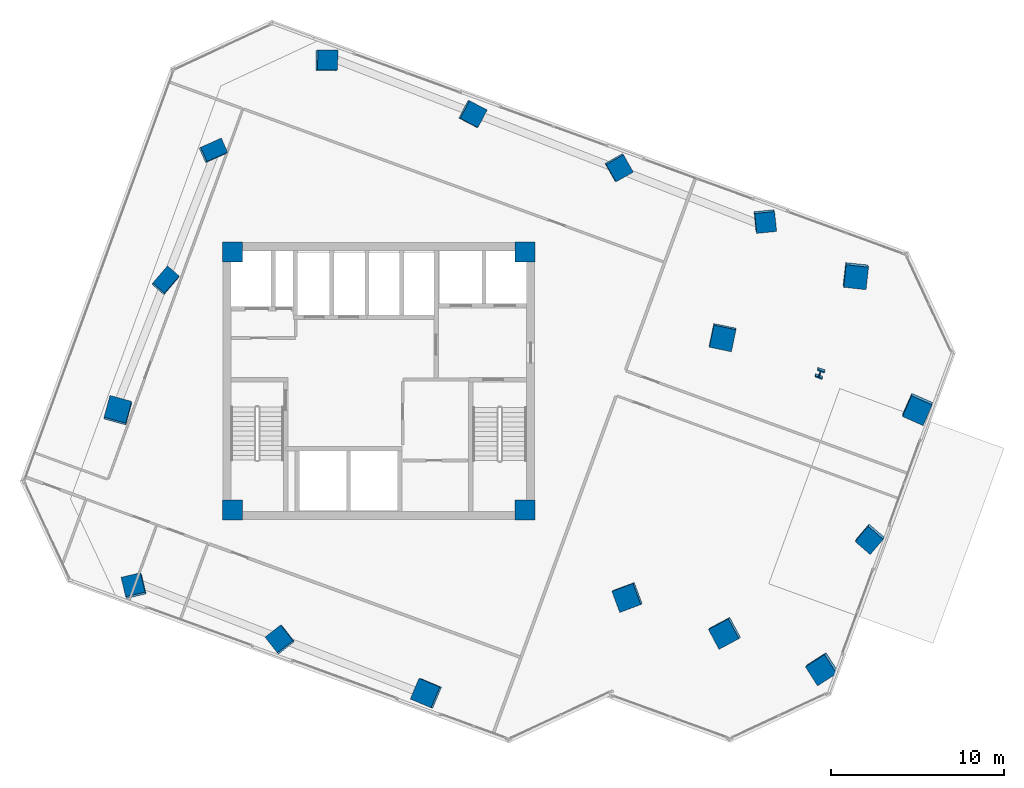
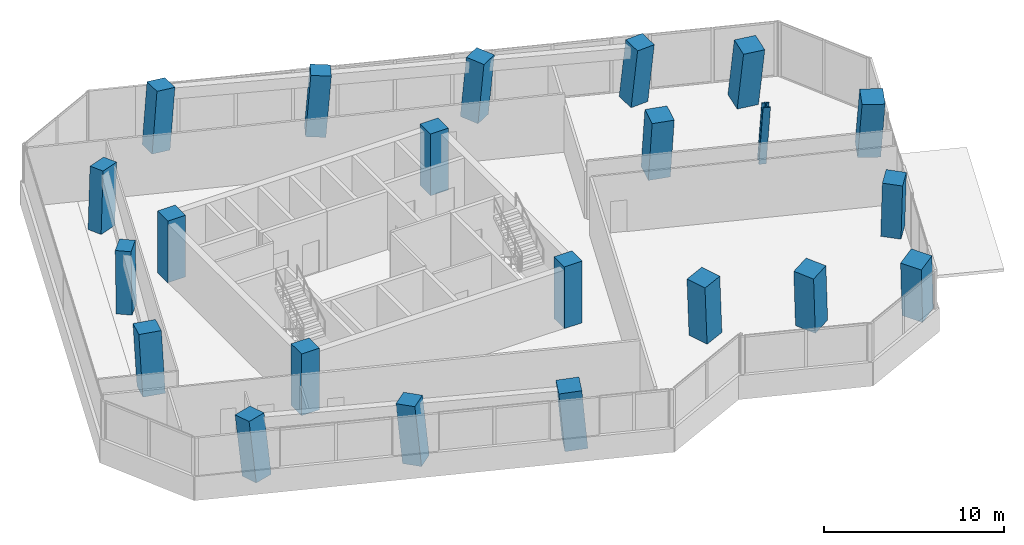
# One storey, part 1 of 21: 22 columns.
"""IFC4 building model written with IfcOpenShell, lengths in metres."""

from ifc_helpers import new_model, si_unit, direction, frame, origin, origin_2d, place, context, subcontext, project, spatial, rectangle, i_section, extrude, clip, halfspace, source, transform, mapped, material, material_profile, profile_set, type_object, element, save


model = new_model("IFC4")

# Units and contexts
model_context = context("Model", 3, precision=1e-05, world=origin(), true_north=direction((0.0, 1.0)))
body_context = subcontext(model_context, "Body", "Model", "MODEL_VIEW")
ifc_project = project(units=[si_unit("LENGTHUNIT", "METRE"), si_unit("AREAUNIT", "SQUARE_METRE"), si_unit("VOLUMEUNIT", "CUBIC_METRE"), si_unit("PLANEANGLEUNIT", "RADIAN"), si_unit("MASSUNIT", "GRAM", prefix="KILO")], contexts=[model_context])

# Site, building, storey
site_placement = place(None, origin())
site = spatial("IfcSite", under=ifc_project, at=site_placement, CompositionType="ELEMENT")
building_placement = place(site_placement, origin())
building = spatial("IfcBuilding", under=site, at=building_placement, Name="Torre Montelarca", CompositionType="ELEMENT")
storey_placement = place(building_placement, frame((0.0, 0.0, 133.0)))
storey = spatial("IfcBuildingStorey", under=building, at=storey_placement, Name="L29", CompositionType="ELEMENT", Elevation=133.0)

# Columns
ifc_material_1 = material(Name="Concrete C55/67", Category="concrete")
ifc_material_profile_1 = material_profile(ifc_material_1, rectangle(XDim=0.89990234375, YDim=1.300048828125, at=origin_2d()), Name="RC1300X900", Category="concrete")
ifc_profile_set_1 = profile_set([ifc_material_profile_1], Name="Concrete C55/67")
column_type_1 = type_object("IfcColumnType", Name="COL-PIL1300-EXT", PredefinedType="PILASTER", material=ifc_profile_set_1)
column_1_placement = place(storey_placement, frame((5.666259765625, 37.762939453125, 0.0), z_axis=(0.030691149853, 0.081650040176, 0.996188397975), x_axis=(0.759723588942, -0.649561407736, 0.02983363848)))
element("IfcColumn", 1, at=column_1_placement, inside=storey, type_object=column_type_1, Name="L29 Column 1W/E", PredefinedType="PILASTER", context=body_context, shape_type="Clipping", body=[
    clip(clip(extrude(rectangle(XDim=0.89990234375, YDim=1.300048828125, at=origin_2d()), origin(), (0.0, 0.0, 1.0), 4.216064453125), halfspace(frame((0.0, 0.0, 0.067626953125), z_axis=(0.0, 0.0, -1.0), x_axis=(1.0, 0.0, 0.0)), False)), halfspace(frame((0.0, 0.0, 4.1484375), z_axis=(0.0, 0.0, 1.0), x_axis=(1.0, 0.0, 0.0)), False)),
])
column_2_placement = place(storey_placement, frame((8.40234375, 45.280517578125, 0.0), z_axis=(0.069430092702, 0.066942181047, 0.995338237296), x_axis=(0.407164247722, -0.912759098696, 0.03298640818)))
element("IfcColumn", 2, at=column_2_placement, inside=storey, type_object=column_type_1, Name="L29 Column 1W/F", PredefinedType="PILASTER", context=body_context, shape_type="Clipping", body=[
    clip(clip(extrude(rectangle(XDim=0.89990234375, YDim=1.300048828125, at=origin_2d()), origin(), (0.0, 0.0, 1.0), 4.2197265625), halfspace(frame((0.0, 0.0, 0.074951171875), z_axis=(0.0, 0.0, -1.0), x_axis=(1.0, 0.0, 0.0)), False)), halfspace(frame((0.0, 0.0, 4.144775390625), z_axis=(0.0, 0.0, 1.0), x_axis=(1.0, 0.0, 0.0)), False)),
])
ifc_material_profile_2 = material_profile(ifc_material_1, rectangle(XDim=1.14990234375, YDim=1.14990234375, at=origin_2d()), Name="RC1150X1150", Category="concrete")
ifc_profile_set_2 = profile_set([ifc_material_profile_2], Name="Concrete C55/67")
column_type_2 = type_object("IfcColumnType", Name="COL-RC1150-EXT", PredefinedType="COLUMN", material=ifc_profile_set_2)
column_3_placement = place(storey_placement, frame((3.87109375, 20.112548828125, 0.0), z_axis=(-0.060378020658, 0.091693702185, 0.99395510945), x_axis=(0.971784646973, 0.232861844496, 0.037549451193)))
element("IfcColumn", 3, at=column_3_placement, inside=storey, type_object=column_type_2, Name="L29 Column 2/CS", PredefinedType="COLUMN", context=body_context, shape_type="Clipping", body=[
    clip(clip(extrude(rectangle(XDim=1.14990234375, YDim=1.14990234375, at=origin_2d()), origin(), (0.0, 0.0, 1.0), 4.2255859375), halfspace(frame((0.0, 0.0, 0.08203125), z_axis=(0.0, 0.0, -1.0), x_axis=(1.0, 0.0, 0.0)), False)), halfspace(frame((0.0, 0.0, 4.1435546875), z_axis=(0.0, 0.0, 1.0), x_axis=(1.0, 0.0, 0.0)), False)),
])
column_4_placement = place(storey_placement, frame((14.935302734375, 50.51171875, 0.0), z_axis=(0.096054134155, 0.032846928477, 0.99483399751), x_axis=(-0.017896021663, -0.999236828421, 0.034720212203)))
element("IfcColumn", 4, at=column_4_placement, inside=storey, type_object=column_type_2, Name="L29 Column 2/GN", PredefinedType="COLUMN", context=body_context, shape_type="Clipping", body=[
    clip(clip(extrude(rectangle(XDim=1.14990234375, YDim=1.14990234375, at=origin_2d()), origin(), (0.0, 0.0, 1.0), 4.2216796875), halfspace(frame((0.0, 0.0, 0.075927734375), z_axis=(0.0, 0.0, -1.0), x_axis=(1.0, 0.0, 0.0)), False)), halfspace(frame((0.0, 0.0, 4.145751953125), z_axis=(0.0, 0.0, 1.0), x_axis=(1.0, 0.0, 0.0)), False)),
])
column_5_placement = place(storey_placement, frame((12.328369140625, 17.034423828125, 0.0), z_axis=(-0.076934640487, 0.048279526084, 0.995866531446), x_axis=(0.787992689397, 0.614900375793, 0.031065242737)))
element("IfcColumn", 5, at=column_5_placement, inside=storey, type_object=column_type_2, Name="L29 Column 3/CS", PredefinedType="COLUMN", context=body_context, shape_type="Clipping", body=[
    clip(clip(extrude(rectangle(XDim=1.14990234375, YDim=1.14990234375, at=origin_2d()), origin(), (0.0, 0.0, 1.0), 4.21728515625), halfspace(frame((0.0, 0.0, 0.06787109375), z_axis=(0.0, 0.0, -1.0), x_axis=(1.0, 0.0, 0.0)), False)), halfspace(frame((0.0, 0.0, 4.1494140625), z_axis=(0.0, 0.0, 1.0), x_axis=(1.0, 0.0, 0.0)), False)),
])
column_6_placement = place(storey_placement, frame((23.392578125, 47.433349609375, 0.0), z_axis=(0.079842016697, -0.010661053028, 0.996750517591), x_axis=(-0.462280065527, -0.886305896254, 0.027549941602)))
element("IfcColumn", 6, at=column_6_placement, inside=storey, type_object=column_type_2, Name="L29 Column 3/GN", PredefinedType="COLUMN", context=body_context, shape_type="Clipping", body=[
    clip(clip(extrude(rectangle(XDim=1.14990234375, YDim=1.14990234375, at=origin_2d()), origin(), (0.0, 0.0, 1.0), 4.213623046875), halfspace(frame((0.0, 0.0, 0.060302734375), z_axis=(0.0, 0.0, -1.0), x_axis=(1.0, 0.0, 0.0)), False)), halfspace(frame((0.0, 0.0, 4.1533203125), z_axis=(0.0, 0.0, 1.0), x_axis=(1.0, 0.0, 0.0)), False)),
])
column_7_placement = place(storey_placement, frame((31.849853515625, 44.355224609375, 0.0), z_axis=(0.063371803059, -0.054277312126, 0.996512914099), x_axis=(-0.87013419842, -0.491987882004, 0.028537706658)))
element("IfcColumn", 7, at=column_7_placement, inside=storey, type_object=column_type_2, Name="L29 Column 4/GN", PredefinedType="COLUMN", context=body_context, shape_type="Clipping", body=[
    clip(clip(extrude(rectangle(XDim=1.14990234375, YDim=1.14990234375, at=origin_2d()), origin(), (0.0, 0.0, 1.0), 4.214599609375), halfspace(frame((0.0, 0.0, 0.0625), z_axis=(0.0, 0.0, -1.0), x_axis=(1.0, 0.0, 0.0)), False)), halfspace(frame((0.0, 0.0, 4.152099609375), z_axis=(0.0, 0.0, 1.0), x_axis=(1.0, 0.0, 0.0)), False)),
])
column_8_placement = place(storey_placement, frame((40.30712890625, 41.277099609375, 0.0), z_axis=(0.046865537006, -0.09766061349, 0.994115700517), x_axis=(-0.994296038519, -0.100013866922, 0.037048808472)))
element("IfcColumn", 8, at=column_8_placement, inside=storey, type_object=column_type_2, Name="L29 Column 5/GN", PredefinedType="COLUMN", context=body_context, shape_type="Clipping", body=[
    clip(clip(extrude(rectangle(XDim=1.14990234375, YDim=1.14990234375, at=origin_2d()), origin(), (0.0, 0.0, 1.0), 4.224853515625), halfspace(frame((0.0, 0.0, 0.0810546875), z_axis=(0.0, 0.0, -1.0), x_axis=(1.0, 0.0, 0.0)), False)), halfspace(frame((0.0, 0.0, 4.143798828125), z_axis=(0.0, 0.0, 1.0), x_axis=(1.0, 0.0, 0.0)), False)),
])
column_9_placement = place(storey_placement, frame((46.40185546875, 22.9365234375, 0.0), z_axis=(-0.048027148389, -0.127611703632, 0.990660711906), x_axis=(-0.760123550195, 0.64810293408, 0.046634485907)))
element("IfcColumn", 9, at=column_9_placement, inside=storey, type_object=column_type_2, Name="L29 Column 7/E", PredefinedType="COLUMN", context=body_context, shape_type="Clipping", body=[
    clip(clip(extrude(rectangle(XDim=1.14990234375, YDim=1.14990234375, at=origin_2d()), origin(), (0.0, 0.0, 1.0), 4.239501953125), halfspace(frame((0.0, 0.0, 0.102294921875), z_axis=(0.0, 0.0, -1.0), x_axis=(1.0, 0.0, 0.0)), False)), halfspace(frame((0.0, 0.0, 4.13720703125), z_axis=(0.0, 0.0, 1.0), x_axis=(1.0, 0.0, 0.0)), False)),
])
ifc_material_2 = material(Name="Concrete C70/85", Category="concrete")
ifc_material_profile_3 = material_profile(ifc_material_2, rectangle(XDim=1.300048828125, YDim=1.300048828125, at=origin_2d()), Name="RC1300X1300", Category="concrete")
ifc_profile_set_3 = profile_set([ifc_material_profile_3], Name="Concrete C70/85")
column_type_3 = type_object("IfcColumnType", Name="COL-RC1300", PredefinedType="COLUMN", material=ifc_profile_set_3)
column_10_placement = place(storey_placement, frame((32.389404296875, 19.523193359375, 0.0), z_axis=(-0.0652127021, -0.055656666713, 0.996318041057), x_axis=(-0.35083091128, 0.935979616649, 0.029322839359)))
element("IfcColumn", 10, at=column_10_placement, inside=storey, type_object=column_type_3, Name="L29 Column 5/D", PredefinedType="COLUMN", context=body_context, shape_type="Clipping", body=[
    clip(clip(extrude(rectangle(XDim=1.300048828125, YDim=1.300048828125, at=origin_2d()), origin(), (0.0, 0.0, 1.0), 4.215576171875), halfspace(frame((0.0, 0.0, 0.072509765625), z_axis=(0.0, 0.0, -1.0), x_axis=(1.0, 0.0, 0.0)), False)), halfspace(frame((0.0, 0.0, 4.14306640625), z_axis=(0.0, 0.0, 1.0), x_axis=(1.0, 0.0, 0.0)), False)),
])
column_11_placement = place(storey_placement, frame((37.86181640625, 34.55810546875, 0.0), z_axis=(0.012278122597, -0.084788544725, 0.996323316193), x_axis=(-0.978828468679, 0.202574010185, 0.029301865156)))
element("IfcColumn", 11, at=column_11_placement, inside=storey, type_object=column_type_3, Name="L29 Column 5/F", PredefinedType="COLUMN", context=body_context, shape_type="Clipping", body=[
    clip(clip(extrude(rectangle(XDim=1.300048828125, YDim=1.300048828125, at=origin_2d()), origin(), (0.0, 0.0, 1.0), 4.21533203125), halfspace(frame((0.0, 0.0, 0.072509765625), z_axis=(0.0, 0.0, -1.0), x_axis=(1.0, 0.0, 0.0)), False)), halfspace(frame((0.0, 0.0, 4.142822265625), z_axis=(0.0, 0.0, 1.0), x_axis=(1.0, 0.0, 0.0)), False)),
])
column_12_placement = place(storey_placement, frame((38.027587890625, 17.470947265625, 0.0), z_axis=(-0.075888208502, -0.084435738836, 0.993534894112), x_axis=(-0.47174748667, 0.8808783405, 0.03882857271)))
element("IfcColumn", 12, at=column_12_placement, inside=storey, type_object=column_type_3, Name="L29 Column 6/D", PredefinedType="COLUMN", context=body_context, shape_type="Clipping", body=[
    clip(clip(extrude(rectangle(XDim=1.300048828125, YDim=1.300048828125, at=origin_2d()), origin(), (0.0, 0.0, 1.0), 4.227294921875), halfspace(frame((0.0, 0.0, 0.095947265625), z_axis=(0.0, 0.0, -1.0), x_axis=(1.0, 0.0, 0.0)), False)), halfspace(frame((0.0, 0.0, 4.13134765625), z_axis=(0.0, 0.0, 1.0), x_axis=(1.0, 0.0, 0.0)), False)),
])
column_13_placement = place(storey_placement, frame((45.552001953125, 38.144287109375, 0.0), z_axis=(0.030324992109, -0.124240224324, 0.991788667768), x_axis=(-0.993327056071, 0.106715323233, 0.043740135619)))
element("IfcColumn", 13, at=column_13_placement, inside=storey, type_object=column_type_3, Name="L29 Column 6/G", PredefinedType="COLUMN", context=body_context, shape_type="Clipping", body=[
    clip(clip(extrude(rectangle(XDim=1.300048828125, YDim=1.300048828125, at=origin_2d()), origin(), (0.0, 0.0, 1.0), 4.234619140625), halfspace(frame((0.0, 0.0, 0.108154296875), z_axis=(0.0, 0.0, -1.0), x_axis=(1.0, 0.0, 0.0)), False)), halfspace(frame((0.0, 0.0, 4.12646484375), z_axis=(0.0, 0.0, 1.0), x_axis=(1.0, 0.0, 0.0)), False)),
])
ifc_material_profile_4 = material_profile(ifc_material_2, rectangle(XDim=1.300048828125, YDim=1.300048828125, at=origin_2d()), Name="RC1300X1300", Category="concrete")
ifc_profile_set_4 = profile_set([ifc_material_profile_4], Name="Concrete C70/85")
column_type_4 = type_object("IfcColumnType", Name="COL-RC1300-EXT", PredefinedType="COLUMN", material=ifc_profile_set_4)
column_14_placement = place(storey_placement, frame((20.78564453125, 13.956298828125, 0.0), z_axis=(-0.093294861865, 0.004687893183, 0.995627486768), x_axis=(0.387253885396, 0.92141938929, 0.031948979406)))
element("IfcColumn", 14, at=column_14_placement, inside=storey, type_object=column_type_4, Name="L29 Column 4/CS", PredefinedType="COLUMN", context=body_context, shape_type="Clipping", body=[
    clip(clip(extrude(rectangle(XDim=1.300048828125, YDim=1.300048828125, at=origin_2d()), origin(), (0.0, 0.0, 1.0), 4.218505859375), halfspace(frame((0.0, 0.0, 0.078857421875), z_axis=(0.0, 0.0, -1.0), x_axis=(1.0, 0.0, 0.0)), False)), halfspace(frame((0.0, 0.0, 4.1396484375), z_axis=(0.0, 0.0, 1.0), x_axis=(1.0, 0.0, 0.0)), False)),
])
for number, where, z_axis, x_axis, name in (
    (15, (43.665771484375, 15.4189453125, 0.0), (-0.086535954918, -0.113060605994, 0.989812521581), (-0.540443813181, 0.83996976619, 0.048695756295), "L29 Column 7/D"),
    (16, (49.137939453125, 30.4541015625, 0.0), (-0.009493717119, -0.142002993027, 0.989820700585), (-0.915016724924, 0.400468488729, 0.048676304747), "L29 Column 7/F"),
):
    element("IfcColumn", number, at=place(storey_placement, frame(where, z_axis=z_axis, x_axis=x_axis)), inside=storey, type_object=column_type_4, Name=name, PredefinedType="COLUMN", context=body_context, shape_type="Clipping", body=[
        clip(clip(extrude(rectangle(XDim=1.300048828125, YDim=1.300048828125, at=origin_2d()), origin(), (0.0, 0.0, 1.0), 4.2431640625), halfspace(frame((0.0, 0.0, 0.12060546875), z_axis=(0.0, 0.0, -1.0), x_axis=(1.0, 0.0, 0.0)), False)), halfspace(frame((0.0, 0.0, 4.12255859375), z_axis=(0.0, 0.0, 1.0), x_axis=(1.0, 0.0, 0.0)), False)),
    ])
column_15_placement = place(storey_placement, frame((2.929931640625, 30.24560546875, 0.0), z_axis=(-0.007984514186, 0.096045605421, 0.995344909673), x_axis=(0.964665591545, -0.261407243839, 0.032962848131)))
element("IfcColumn", 17, at=column_15_placement, inside=storey, type_object=column_type_4, Name="L29 Column 1W/D", PredefinedType="COLUMN", context=body_context, shape_type="Clipping", body=[
    clip(clip(extrude(rectangle(XDim=1.300048828125, YDim=1.300048828125, at=origin_2d()), origin(), (0.0, 0.0, 1.0), 4.219482421875), halfspace(frame((0.0, 0.0, 0.08154296875), z_axis=(0.0, 0.0, -1.0), x_axis=(1.0, 0.0, 0.0)), False)), halfspace(frame((0.0, 0.0, 4.137939453125), z_axis=(0.0, 0.0, 1.0), x_axis=(1.0, 0.0, 0.0)), False)),
])
ifc_material_3 = material(Name="Steel ASTM A992 Grade 50", Category="steel")
ifc_material_profile_5 = material_profile(ifc_material_3, i_section(OverallWidth=0.4208984375, OverallDepth=0.465087890625, WebThickness=0.044921875, FlangeThickness=0.072265625, FilletRadius=0.014892578125, at=origin_2d()), Name="W360X592", Category="steel")
ifc_profile_set_5 = profile_set([ifc_material_profile_5], Name="Steel ASTM A992 Grade 50")
column_type_5 = type_object("IfcColumnType", Name="COL-W360X592", PredefinedType="COLUMN", material=ifc_profile_set_5)
column_16_placement = place(storey_placement, frame((43.5, 32.506103515625, 0.0), z_axis=(0.001328328773, -0.113543233339, 0.99353216843), x_axis=(-0.943603423931, 0.328792163415, 0.038836730339)))
element("IfcColumn", 18, at=column_16_placement, inside=storey, type_object=column_type_5, Name="L29 Column 6/F", PredefinedType="COLUMN", context=body_context, shape_type="Clipping", body=[
    clip(clip(extrude(i_section(OverallWidth=0.4208984375, OverallDepth=0.465087890625, WebThickness=0.044921875, FlangeThickness=0.072265625, FilletRadius=0.014892578125, at=origin_2d()), origin(), (0.0, 0.0, 1.0), 4.227294921875), halfspace(frame((0.0, 0.0, 0.033935546875), z_axis=(0.0, 0.0, -1.0), x_axis=(1.0, 0.0, 0.0)), False)), halfspace(frame((0.0, 0.0, 4.193359375), z_axis=(0.0, 0.0, 1.0), x_axis=(1.0, 0.0, 0.0)), False)),
])
ifc_material_profile_6 = material_profile(ifc_material_1, rectangle(XDim=1.14990234375, YDim=1.14990234375, at=origin_2d()), Name="RC1150X1150", Category="concrete")
ifc_profile_set_6 = profile_set([ifc_material_profile_6], Name="Concrete C55/67")
column_type_6 = type_object("IfcColumnType", Name="COL-RC1150", PredefinedType="COLUMN", material=ifc_profile_set_6)
shared_shape = source(origin(), body_context, "Body", "SweptSolid", [
    extrude(rectangle(XDim=1.14990234375, YDim=1.14990234375, at=origin_2d()), origin(), (0.0, 0.0, 1.0), 4.198486328125),
])
for number, where, z_axis, x_axis, name in (
    (19, (9.550048828125, 24.550048828125, 0.000732421875), (0.0, 0.0, 1.0), (1.0, 0.0, 0.0), "L29 Plumb Core Corner Column 2D"),
    (20, (26.449951171875, 24.550048828125, 0.000732421875), (0.0, 0.0, 1.0), (1.0, 0.0, 0.0), "L29 Plumb Core Corner Column 4D"),
    (21, (9.550048828125, 39.449951171875, 0.000732421875), (0.0, 0.0, 1.0), (1.0, 0.0, 0.0), "L29 Plumb Core Corner Column 2F"),
    (22, (26.449951171875, 39.449951171875, 0.000732421875), (0.0, 0.0, 1.0), (1.0, 0.0, 0.0), "L29 Plumb Core Corner Column 4F"),
):
    element("IfcColumn", number, at=place(storey_placement, frame(where, z_axis=z_axis, x_axis=x_axis)), inside=storey, type_object=column_type_6, Name=name, PredefinedType="COLUMN", context=body_context, shape_type="MappedRepresentation", body=[
        mapped(shared_shape, transform((0.0, 0.0, 0.0), scale=1.0)),
    ])

save(model, "model.ifc")
